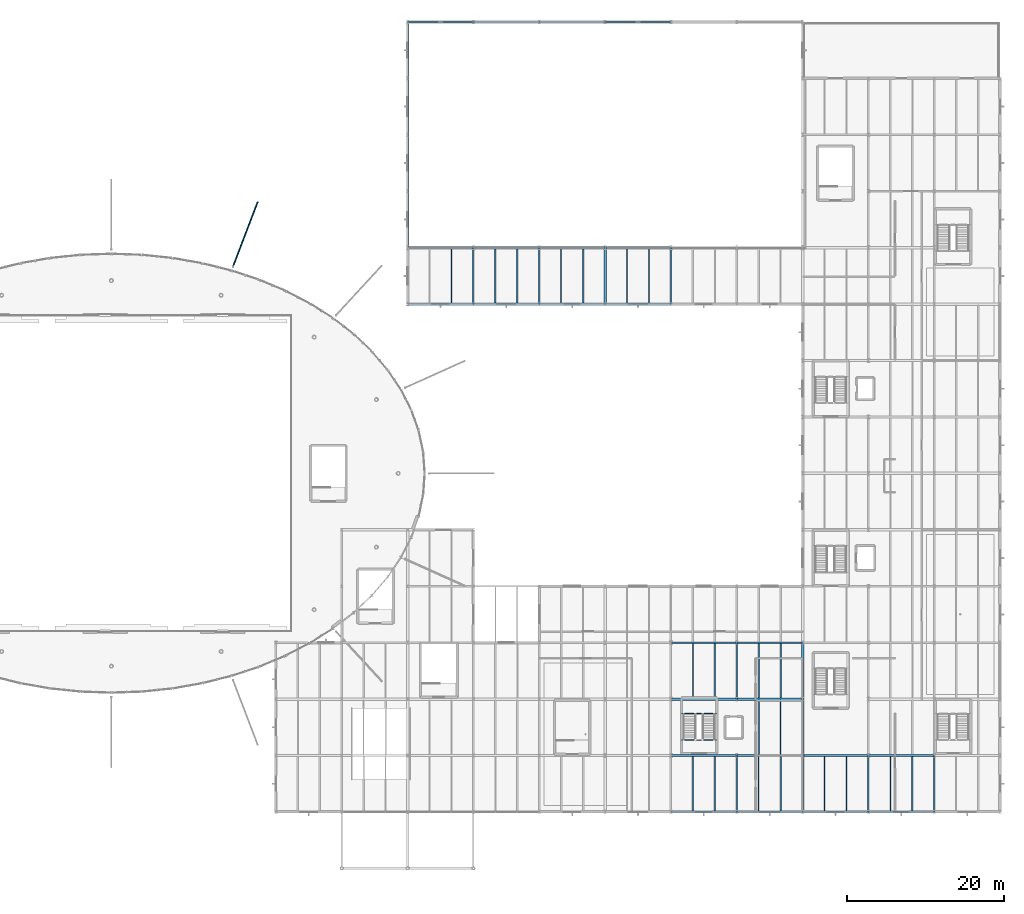
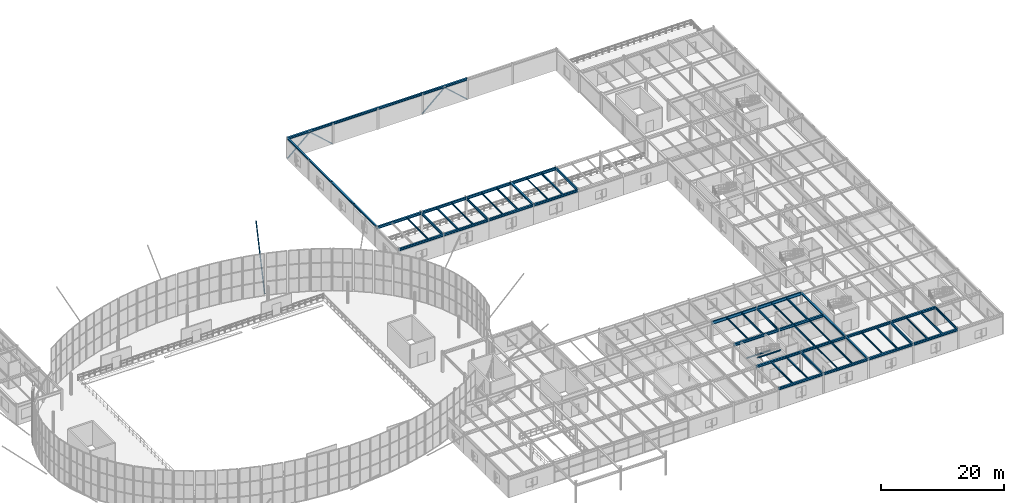
# One storey, part 41 of 109: 62 beams, 5 members.
"""IFC4 building model written with IfcOpenShell, lengths in metres."""

from ifc_helpers import new_model, si_unit, derived_unit, direction, frame, origin, origin_2d, place, context, subcontext, project, spatial, hollow_rectangle, hollow_circle, i_section, extrude, material, material_profile, profile_set, type_object, element, save


model = new_model("IFC4")

# Units and contexts
model_context = context("Model", 3, precision=1e-05, world=origin(), true_north=direction((0.0, 1.0)))
body_context = subcontext(model_context, "Body", "Model", "MODEL_VIEW")
ifc_project = project(units=[si_unit("LENGTHUNIT", "METRE"), si_unit("AREAUNIT", "SQUARE_METRE"), si_unit("VOLUMEUNIT", "CUBIC_METRE"), si_unit("PLANEANGLEUNIT", "RADIAN"), si_unit("MASSUNIT", "GRAM", prefix="KILO"), derived_unit("THERMALTRANSMITTANCEUNIT", [(si_unit("MASSUNIT", "GRAM", prefix="KILO"), 1), (si_unit("TIMEUNIT", "SECOND"), -3), (si_unit("THERMODYNAMICTEMPERATUREUNIT", "KELVIN"), -1)])], contexts=[model_context])

# Site, building, storey
site_placement = place(None, origin())
site = spatial("IfcSite", under=ifc_project, at=site_placement, CompositionType="ELEMENT")
building_placement = place(site_placement, origin())
building = spatial("IfcBuilding", under=site, at=building_placement, Name="Kharveza Railside Sports Centre", CompositionType="ELEMENT")
storey_placement = place(building_placement, frame((0.0, 0.0, 4.5)))
storey = spatial("IfcBuildingStorey", under=building, at=storey_placement, Name="L01", CompositionType="ELEMENT", Elevation=4.5)

# Beams
ifc_material = material(Name="Steel S355J2", Category="steel")
ifc_material_profile_1 = material_profile(ifc_material, i_section(OverallWidth=0.219970703125, OverallDepth=0.60009765625, WebThickness=0.011962890625, FlangeThickness=0.01904296875, FilletRadius=0.02392578125, at=origin_2d()), Name="IPE 600")
ifc_profile_set_1 = profile_set([ifc_material_profile_1], Name="Steel S355J2")
beam_type_1 = type_object("IfcBeamType", Name="BM-G01", PredefinedType="T_BEAM", material=ifc_profile_set_1)
beam_1_placement = place(storey_placement, frame((126.0, 28.800048828125, 3.699951171875), z_axis=(1.0, 0.0, 0.0), x_axis=(0.0, 1.0, 0.0)))
element("IfcBeam", 1, at=beam_1_placement, inside=storey, type_object=beam_type_1, Name="BM-EW-L01-B01-X1260-Y288", PredefinedType="T_BEAM", context=body_context, shape_type="SweptSolid", body=[
    extrude(i_section(OverallWidth=0.219970703125, OverallDepth=0.60009765625, WebThickness=0.011962890625, FlangeThickness=0.01904296875, FilletRadius=0.02392578125, at=origin_2d()), origin(), (0.0, 0.0, 1.0), 8.39990234375),
])
beam_2_placement = place(storey_placement, frame((134.39990234375, 28.800048828125, 3.699951171875), z_axis=(1.0, 0.0, 0.0), x_axis=(0.0, 1.0, 0.0)))
element("IfcBeam", 2, at=beam_2_placement, inside=storey, type_object=beam_type_1, Name="BM-EW-L01-B01-X1344-Y288", PredefinedType="T_BEAM", context=body_context, shape_type="SweptSolid", body=[
    extrude(i_section(OverallWidth=0.219970703125, OverallDepth=0.60009765625, WebThickness=0.011962890625, FlangeThickness=0.01904296875, FilletRadius=0.02392578125, at=origin_2d()), origin(), (0.0, 0.0, 1.0), 8.400146484375),
])
ifc_material_profile_2 = material_profile(ifc_material, i_section(OverallWidth=0.199951171875, OverallDepth=0.5, WebThickness=0.01025390625, FlangeThickness=0.01611328125, FilletRadius=0.02099609375, at=origin_2d()), Name="IPE 500")
ifc_profile_set_2 = profile_set([ifc_material_profile_2], Name="Steel S355J2")
beam_type_2 = type_object("IfcBeamType", Name="BM-G03", PredefinedType="T_BEAM", material=ifc_profile_set_2)
for number, where, z_axis, x_axis, name in (
    (3, (100.800048828125, 72.0, 3.75), (0.0, 1.0, 0.0), (-1.0, 0.0, 0.0), "BM-NS-L01-B03-X1008-Y720"),
    (4, (126.0, 72.0, 3.75), (0.0, 1.0, 0.0), (-1.0, 0.0, 0.0), "BM-NS-L01-B03-X1260-Y720"),
    (5, (151.199951171875, 7.199951171875, 3.75), (0.0, 1.0, 0.0), (-1.0, 0.0, 0.0), "BM-NS-L01-B03-X1512-Y72"),
):
    element("IfcBeam", number, at=place(storey_placement, frame(where, z_axis=z_axis, x_axis=x_axis)), inside=storey, type_object=beam_type_2, Name=name, PredefinedType="T_BEAM", context=body_context, shape_type="SweptSolid", body=[
        extrude(i_section(OverallWidth=0.199951171875, OverallDepth=0.5, WebThickness=0.01025390625, FlangeThickness=0.01611328125, FilletRadius=0.02099609375, at=origin_2d()), origin(), (0.0, 0.0, 1.0), 7.199951171875),
    ])
ifc_material_profile_3 = material_profile(ifc_material, i_section(OverallWidth=0.18994140625, OverallDepth=0.449951171875, WebThickness=0.009521484375, FlangeThickness=0.0146484375, FilletRadius=0.02099609375, at=origin_2d()), Name="IPE 450")
ifc_profile_set_3 = profile_set([ifc_material_profile_3], Name="Steel S355J2")
beam_type_3 = type_object("IfcBeamType", Name="BM-G04", PredefinedType="T_BEAM", material=ifc_profile_set_3)
for number, where, z_axis, x_axis, name in (
    (6, (109.199951171875, 72.0, 3.77490234375), (0.0, 1.0, 0.0), (-1.0, 0.0, 0.0), "BM-NS-L01-B04-X1092-Y720"),
    (7, (134.39990234375, 7.199951171875, 3.77490234375), (0.0, 1.0, 0.0), (-1.0, 0.0, 0.0), "BM-NS-L01-B04-X1344-Y72"),
    (8, (134.39990234375, 21.60009765625, 3.77490234375), (0.0, 1.0, 0.0), (-1.0, 0.0, 0.0), "BM-NS-L01-B04-X1344-Y216"),
    (9, (159.60009765625, 7.199951171875, 3.77490234375), (0.0, 1.0, 0.0), (-1.0, 0.0, 0.0), "BM-NS-L01-B04-X1596-Y72"),
):
    element("IfcBeam", number, at=place(storey_placement, frame(where, z_axis=z_axis, x_axis=x_axis)), inside=storey, type_object=beam_type_3, Name=name, PredefinedType="T_BEAM", context=body_context, shape_type="SweptSolid", body=[
        extrude(i_section(OverallWidth=0.18994140625, OverallDepth=0.449951171875, WebThickness=0.009521484375, FlangeThickness=0.0146484375, FilletRadius=0.02099609375, at=origin_2d()), origin(), (0.0, 0.0, 1.0), 7.199951171875),
    ])
ifc_material_profile_4 = material_profile(ifc_material, i_section(OverallWidth=0.300048828125, OverallDepth=0.5, WebThickness=0.014404296875, FlangeThickness=0.028076171875, FilletRadius=0.027099609375, at=origin_2d()), Name="HEB 500")
ifc_profile_set_4 = profile_set([ifc_material_profile_4], Name="Steel S355J2")
beam_type_4 = type_object("IfcBeamType", Name="BM-G05", PredefinedType="T_BEAM", material=ifc_profile_set_4)
beam_3_placement = place(storey_placement, frame((92.39990234375, 79.199951171875, 3.75), z_axis=(1.0, 0.0, 0.0), x_axis=(0.0, 1.0, 0.0)))
element("IfcBeam", 10, at=beam_3_placement, inside=storey, type_object=beam_type_4, Name="BM-EW-L01-B05-X924-Y792", PredefinedType="T_BEAM", context=body_context, shape_type="SweptSolid", body=[
    extrude(i_section(OverallWidth=0.300048828125, OverallDepth=0.5, WebThickness=0.014404296875, FlangeThickness=0.028076171875, FilletRadius=0.027099609375, at=origin_2d()), origin(), (0.0, 0.0, 1.0), 8.400146484375),
])
beam_4_placement = place(storey_placement, frame((100.800048828125, 79.199951171875, 3.75), z_axis=(1.0, 0.0, 0.0), x_axis=(0.0, 1.0, 0.0)))
element("IfcBeam", 11, at=beam_4_placement, inside=storey, type_object=beam_type_4, Name="BM-EW-L01-B05-X1008-Y792", PredefinedType="T_BEAM", context=body_context, shape_type="SweptSolid", body=[
    extrude(i_section(OverallWidth=0.300048828125, OverallDepth=0.5, WebThickness=0.014404296875, FlangeThickness=0.028076171875, FilletRadius=0.027099609375, at=origin_2d()), origin(), (0.0, 0.0, 1.0), 8.39990234375),
])
beam_5_placement = place(storey_placement, frame((109.199951171875, 79.199951171875, 3.75), z_axis=(1.0, 0.0, 0.0), x_axis=(0.0, 1.0, 0.0)))
element("IfcBeam", 12, at=beam_5_placement, inside=storey, type_object=beam_type_4, Name="BM-EW-L01-B05-X1092-Y792", PredefinedType="T_BEAM", context=body_context, shape_type="SweptSolid", body=[
    extrude(i_section(OverallWidth=0.300048828125, OverallDepth=0.5, WebThickness=0.014404296875, FlangeThickness=0.028076171875, FilletRadius=0.027099609375, at=origin_2d()), origin(), (0.0, 0.0, 1.0), 8.400146484375),
])
for number, where, z_axis, x_axis, name in (
    (13, (117.60009765625, 79.199951171875, 3.75), (1.0, 0.0, 0.0), (0.0, 1.0, 0.0), "BM-EW-L01-B05-X1176-Y792"),
    (14, (126.0, 21.60009765625, 3.75), (1.0, 0.0, 0.0), (0.0, 1.0, 0.0), "BM-EW-L01-B05-X1260-Y216"),
):
    element("IfcBeam", number, at=place(storey_placement, frame(where, z_axis=z_axis, x_axis=x_axis)), inside=storey, type_object=beam_type_4, Name=name, PredefinedType="T_BEAM", context=body_context, shape_type="SweptSolid", body=[
        extrude(i_section(OverallWidth=0.300048828125, OverallDepth=0.5, WebThickness=0.014404296875, FlangeThickness=0.028076171875, FilletRadius=0.027099609375, at=origin_2d()), origin(), (0.0, 0.0, 1.0), 8.39990234375),
    ])
beam_6_placement = place(storey_placement, frame((134.39990234375, 21.60009765625, 3.75), z_axis=(1.0, 0.0, 0.0), x_axis=(0.0, 1.0, 0.0)))
element("IfcBeam", 15, at=beam_6_placement, inside=storey, type_object=beam_type_4, Name="BM-EW-L01-B05-X1344-Y216", PredefinedType="T_BEAM", context=body_context, shape_type="SweptSolid", body=[
    extrude(i_section(OverallWidth=0.300048828125, OverallDepth=0.5, WebThickness=0.014404296875, FlangeThickness=0.028076171875, FilletRadius=0.027099609375, at=origin_2d()), origin(), (0.0, 0.0, 1.0), 8.400146484375),
])
ifc_material_profile_5 = material_profile(ifc_material, i_section(OverallWidth=0.300048828125, OverallDepth=0.449951171875, WebThickness=0.013916015625, FlangeThickness=0.02587890625, FilletRadius=0.027099609375, at=origin_2d()), Name="HEB 450")
ifc_profile_set_5 = profile_set([ifc_material_profile_5], Name="Steel S355J2")
beam_type_5 = type_object("IfcBeamType", Name="BM-G06", PredefinedType="T_BEAM", material=ifc_profile_set_5)
beam_7_placement = place(storey_placement, frame((92.39990234375, 72.0, 3.77490234375), z_axis=(1.0, 0.0, 0.0), x_axis=(0.0, 1.0, 0.0)))
element("IfcBeam", 16, at=beam_7_placement, inside=storey, type_object=beam_type_5, Name="BM-EW-L01-B06-X924-Y720", PredefinedType="T_BEAM", context=body_context, shape_type="SweptSolid", body=[
    extrude(i_section(OverallWidth=0.300048828125, OverallDepth=0.449951171875, WebThickness=0.013916015625, FlangeThickness=0.02587890625, FilletRadius=0.027099609375, at=origin_2d()), origin(), (0.0, 0.0, 1.0), 8.400146484375),
])
beam_8_placement = place(storey_placement, frame((100.800048828125, 72.0, 3.77490234375), z_axis=(1.0, 0.0, 0.0), x_axis=(0.0, 1.0, 0.0)))
element("IfcBeam", 17, at=beam_8_placement, inside=storey, type_object=beam_type_5, Name="BM-EW-L01-B06-X1008-Y720", PredefinedType="T_BEAM", context=body_context, shape_type="SweptSolid", body=[
    extrude(i_section(OverallWidth=0.300048828125, OverallDepth=0.449951171875, WebThickness=0.013916015625, FlangeThickness=0.02587890625, FilletRadius=0.027099609375, at=origin_2d()), origin(), (0.0, 0.0, 1.0), 8.39990234375),
])
beam_9_placement = place(storey_placement, frame((109.199951171875, 72.0, 3.77490234375), z_axis=(1.0, 0.0, 0.0), x_axis=(0.0, 1.0, 0.0)))
element("IfcBeam", 18, at=beam_9_placement, inside=storey, type_object=beam_type_5, Name="BM-EW-L01-B06-X1092-Y720", PredefinedType="T_BEAM", context=body_context, shape_type="SweptSolid", body=[
    extrude(i_section(OverallWidth=0.300048828125, OverallDepth=0.449951171875, WebThickness=0.013916015625, FlangeThickness=0.02587890625, FilletRadius=0.027099609375, at=origin_2d()), origin(), (0.0, 0.0, 1.0), 8.400146484375),
])
for number, where, z_axis, x_axis, name in (
    (19, (117.60009765625, 72.0, 3.77490234375), (1.0, 0.0, 0.0), (0.0, 1.0, 0.0), "BM-EW-L01-B06-X1176-Y720"),
    (20, (126.0, 14.39990234375, 3.77490234375), (1.0, 0.0, 0.0), (0.0, 1.0, 0.0), "BM-EW-L01-B06-X1260-Y144"),
):
    element("IfcBeam", number, at=place(storey_placement, frame(where, z_axis=z_axis, x_axis=x_axis)), inside=storey, type_object=beam_type_5, Name=name, PredefinedType="T_BEAM", context=body_context, shape_type="SweptSolid", body=[
        extrude(i_section(OverallWidth=0.300048828125, OverallDepth=0.449951171875, WebThickness=0.013916015625, FlangeThickness=0.02587890625, FilletRadius=0.027099609375, at=origin_2d()), origin(), (0.0, 0.0, 1.0), 8.39990234375),
    ])
beam_10_placement = place(storey_placement, frame((134.39990234375, 14.39990234375, 3.77490234375), z_axis=(1.0, 0.0, 0.0), x_axis=(0.0, 1.0, 0.0)))
element("IfcBeam", 21, at=beam_10_placement, inside=storey, type_object=beam_type_5, Name="BM-EW-L01-B06-X1344-Y144", PredefinedType="T_BEAM", context=body_context, shape_type="SweptSolid", body=[
    extrude(i_section(OverallWidth=0.300048828125, OverallDepth=0.449951171875, WebThickness=0.013916015625, FlangeThickness=0.02587890625, FilletRadius=0.027099609375, at=origin_2d()), origin(), (0.0, 0.0, 1.0), 8.400146484375),
])
beam_11_placement = place(storey_placement, frame((142.800048828125, 14.39990234375, 3.77490234375), z_axis=(1.0, 0.0, 0.0), x_axis=(0.0, 1.0, 0.0)))
element("IfcBeam", 22, at=beam_11_placement, inside=storey, type_object=beam_type_5, Name="BM-EW-L01-B06-X1428-Y144", PredefinedType="T_BEAM", context=body_context, shape_type="SweptSolid", body=[
    extrude(i_section(OverallWidth=0.300048828125, OverallDepth=0.449951171875, WebThickness=0.013916015625, FlangeThickness=0.02587890625, FilletRadius=0.027099609375, at=origin_2d()), origin(), (0.0, 0.0, 1.0), 8.39990234375),
])
beam_12_placement = place(storey_placement, frame((151.199951171875, 14.39990234375, 3.77490234375), z_axis=(1.0, 0.0, 0.0), x_axis=(0.0, 1.0, 0.0)))
element("IfcBeam", 23, at=beam_12_placement, inside=storey, type_object=beam_type_5, Name="BM-EW-L01-B06-X1512-Y144", PredefinedType="T_BEAM", context=body_context, shape_type="SweptSolid", body=[
    extrude(i_section(OverallWidth=0.300048828125, OverallDepth=0.449951171875, WebThickness=0.013916015625, FlangeThickness=0.02587890625, FilletRadius=0.027099609375, at=origin_2d()), origin(), (0.0, 0.0, 1.0), 8.400146484375),
])
ifc_material_profile_6 = material_profile(ifc_material, i_section(OverallWidth=0.179931640625, OverallDepth=0.39990234375, WebThickness=0.008544921875, FlangeThickness=0.013427734375, FilletRadius=0.02099609375, at=origin_2d()), Name="IPE 400")
ifc_profile_set_6 = profile_set([ifc_material_profile_6], Name="Steel S355J2")
beam_type_6 = type_object("IfcBeamType", Name="BM-S01", PredefinedType="BEAM", material=ifc_profile_set_6)
for number, where, z_axis, x_axis, name in (
    (24, (131.60009765625, 21.7470703125, 3.800048828125), (0.0, 1.0, 0.0), (-1.0, 0.0, 0.0), "BM-SEC-L01-B09-X1316-Y216"),
    (25, (140.0, 21.7470703125, 3.800048828125), (0.0, 1.0, 0.0), (-1.0, 0.0, 0.0), "BM-SEC-L01-B09-X1400-Y216"),
):
    element("IfcBeam", number, at=place(storey_placement, frame(where, z_axis=z_axis, x_axis=x_axis)), inside=storey, type_object=beam_type_6, Name=name, PredefinedType="BEAM", context=body_context, shape_type="SweptSolid", body=[
        extrude(i_section(OverallWidth=0.179931640625, OverallDepth=0.39990234375, WebThickness=0.008544921875, FlangeThickness=0.013427734375, FilletRadius=0.02099609375, at=origin_2d()), origin(), (0.0, 0.0, 1.0), 6.946044921875),
    ])
beam_13_placement = place(storey_placement, frame((156.800048828125, 7.346923828125, 3.800048828125), z_axis=(0.0, 1.0, 0.0), x_axis=(-1.0, 0.0, 0.0)))
element("IfcBeam", 26, at=beam_13_placement, inside=storey, type_object=beam_type_6, Name="BM-SEC-L01-B09-X1568-Y72", PredefinedType="BEAM", context=body_context, shape_type="SweptSolid", body=[
    extrude(i_section(OverallWidth=0.179931640625, OverallDepth=0.39990234375, WebThickness=0.008544921875, FlangeThickness=0.013427734375, FilletRadius=0.02099609375, at=origin_2d()), origin(), (0.0, 0.0, 1.0), 6.906005859375),
])
ifc_material_profile_7 = material_profile(ifc_material, i_section(OverallWidth=0.169921875, OverallDepth=0.360107421875, WebThickness=0.008056640625, FlangeThickness=0.0126953125, FilletRadius=0.01806640625, at=origin_2d()), Name="IPE 360")
ifc_profile_set_7 = profile_set([ifc_material_profile_7], Name="Steel S355J2")
beam_type_7 = type_object("IfcBeamType", Name="BM-S02", PredefinedType="BEAM", material=ifc_profile_set_7)
for number, where, z_axis, x_axis, name in (
    (27, (103.60009765625, 72.14697265625, 3.820068359375), (0.0, 1.0, 0.0), (-1.0, 0.0, 0.0), "BM-SEC-L01-B10-X1036-Y720"),
    (28, (114.800048828125, 72.14697265625, 3.820068359375), (0.0, 1.0, 0.0), (-1.0, 0.0, 0.0), "BM-SEC-L01-B10-X1148-Y720"),
    (29, (123.199951171875, 72.14697265625, 3.820068359375), (0.0, 1.0, 0.0), (-1.0, 0.0, 0.0), "BM-SEC-L01-B10-X1232-Y720"),
    (30, (128.800048828125, 7.346923828125, 3.820068359375), (0.0, 1.0, 0.0), (-1.0, 0.0, 0.0), "BM-SEC-L01-B10-X1288-Y72"),
    (31, (140.0, 7.346923828125, 3.820068359375), (0.0, 1.0, 0.0), (-1.0, 0.0, 0.0), "BM-SEC-L01-B10-X1400-Y72"),
):
    element("IfcBeam", number, at=place(storey_placement, frame(where, z_axis=z_axis, x_axis=x_axis)), inside=storey, type_object=beam_type_7, Name=name, PredefinedType="BEAM", context=body_context, shape_type="SweptSolid", body=[
        extrude(i_section(OverallWidth=0.169921875, OverallDepth=0.360107421875, WebThickness=0.008056640625, FlangeThickness=0.0126953125, FilletRadius=0.01806640625, at=origin_2d()), origin(), (0.0, 0.0, 1.0), 6.906005859375),
    ])
beam_14_placement = place(storey_placement, frame((137.199951171875, 14.547119140625, 3.820068359375), z_axis=(0.0, 1.0, 0.0), x_axis=(-1.0, 0.0, 0.0)))
element("IfcBeam", 32, at=beam_14_placement, inside=storey, type_object=beam_type_7, Name="BM-SEC-L01-B10-X1372-Y144", PredefinedType="BEAM", context=body_context, shape_type="SweptSolid", body=[
    extrude(i_section(OverallWidth=0.169921875, OverallDepth=0.360107421875, WebThickness=0.008056640625, FlangeThickness=0.0126953125, FilletRadius=0.01806640625, at=origin_2d()), origin(), (0.0, 0.0, 1.0), 6.90576171875),
])
beam_15_placement = place(storey_placement, frame((148.39990234375, 7.346923828125, 3.820068359375), z_axis=(0.0, 1.0, 0.0), x_axis=(-1.0, 0.0, 0.0)))
element("IfcBeam", 33, at=beam_15_placement, inside=storey, type_object=beam_type_7, Name="BM-SEC-L01-B10-X1484-Y72", PredefinedType="BEAM", context=body_context, shape_type="SweptSolid", body=[
    extrude(i_section(OverallWidth=0.169921875, OverallDepth=0.360107421875, WebThickness=0.008056640625, FlangeThickness=0.0126953125, FilletRadius=0.01806640625, at=origin_2d()), origin(), (0.0, 0.0, 1.0), 6.906005859375),
])
ifc_material_profile_8 = material_profile(ifc_material, i_section(OverallWidth=0.14990234375, OverallDepth=0.300048828125, WebThickness=0.007080078125, FlangeThickness=0.0107421875, FilletRadius=0.014892578125, at=origin_2d()), Name="IPE 300")
ifc_profile_set_8 = profile_set([ifc_material_profile_8], Name="Steel S355J2")
beam_type_8 = type_object("IfcBeamType", Name="BM-S04", PredefinedType="BEAM", material=ifc_profile_set_8)
for number, where, z_axis, x_axis, name in (
    (34, (98.0, 72.14697265625, 3.85009765625), (0.0, 1.0, 0.0), (-1.0, 0.0, 0.0), "BM-SEC-L01-B12-X980-Y720"),
    (35, (106.39990234375, 72.14697265625, 3.85009765625), (0.0, 1.0, 0.0), (-1.0, 0.0, 0.0), "BM-SEC-L01-B12-X1064-Y720"),
    (36, (131.60009765625, 7.346923828125, 3.85009765625), (0.0, 1.0, 0.0), (-1.0, 0.0, 0.0), "BM-SEC-L01-B12-X1316-Y72"),
):
    element("IfcBeam", number, at=place(storey_placement, frame(where, z_axis=z_axis, x_axis=x_axis)), inside=storey, type_object=beam_type_8, Name=name, PredefinedType="BEAM", context=body_context, shape_type="SweptSolid", body=[
        extrude(i_section(OverallWidth=0.14990234375, OverallDepth=0.300048828125, WebThickness=0.007080078125, FlangeThickness=0.0107421875, FilletRadius=0.014892578125, at=origin_2d()), origin(), (0.0, 0.0, 1.0), 6.906005859375),
    ])
beam_16_placement = place(storey_placement, frame((128.800048828125, 21.7470703125, 3.85009765625), z_axis=(0.0, 1.0, 0.0), x_axis=(-1.0, 0.0, 0.0)))
element("IfcBeam", 37, at=beam_16_placement, inside=storey, type_object=beam_type_8, Name="BM-SEC-L01-B12-X1288-Y216", PredefinedType="BEAM", context=body_context, shape_type="SweptSolid", body=[
    extrude(i_section(OverallWidth=0.14990234375, OverallDepth=0.300048828125, WebThickness=0.007080078125, FlangeThickness=0.0107421875, FilletRadius=0.014892578125, at=origin_2d()), origin(), (0.0, 0.0, 1.0), 6.946044921875),
])
beam_17_placement = place(storey_placement, frame((140.0, 14.547119140625, 3.85009765625), z_axis=(0.0, 1.0, 0.0), x_axis=(-1.0, 0.0, 0.0)))
element("IfcBeam", 38, at=beam_17_placement, inside=storey, type_object=beam_type_8, Name="BM-SEC-L01-B12-X1400-Y144", PredefinedType="BEAM", context=body_context, shape_type="SweptSolid", body=[
    extrude(i_section(OverallWidth=0.14990234375, OverallDepth=0.300048828125, WebThickness=0.007080078125, FlangeThickness=0.0107421875, FilletRadius=0.014892578125, at=origin_2d()), origin(), (0.0, 0.0, 1.0), 6.90576171875),
])
beam_18_placement = place(storey_placement, frame((137.199951171875, 21.7470703125, 3.85009765625), z_axis=(0.0, 1.0, 0.0), x_axis=(-1.0, 0.0, 0.0)))
element("IfcBeam", 39, at=beam_18_placement, inside=storey, type_object=beam_type_8, Name="BM-SEC-L01-B12-X1372-Y216", PredefinedType="BEAM", context=body_context, shape_type="SweptSolid", body=[
    extrude(i_section(OverallWidth=0.14990234375, OverallDepth=0.300048828125, WebThickness=0.007080078125, FlangeThickness=0.0107421875, FilletRadius=0.014892578125, at=origin_2d()), origin(), (0.0, 0.0, 1.0), 6.946044921875),
])
beam_19_placement = place(storey_placement, frame((154.0, 7.346923828125, 3.85009765625), z_axis=(0.0, 1.0, 0.0), x_axis=(-1.0, 0.0, 0.0)))
element("IfcBeam", 40, at=beam_19_placement, inside=storey, type_object=beam_type_8, Name="BM-SEC-L01-B12-X1540-Y72", PredefinedType="BEAM", context=body_context, shape_type="SweptSolid", body=[
    extrude(i_section(OverallWidth=0.14990234375, OverallDepth=0.300048828125, WebThickness=0.007080078125, FlangeThickness=0.0107421875, FilletRadius=0.014892578125, at=origin_2d()), origin(), (0.0, 0.0, 1.0), 6.906005859375),
])
ifc_material_profile_9 = material_profile(ifc_material, i_section(OverallWidth=0.135009765625, OverallDepth=0.27001953125, WebThickness=0.006591796875, FlangeThickness=0.01025390625, FilletRadius=0.014892578125, at=origin_2d()), Name="IPE 270")
ifc_profile_set_9 = profile_set([ifc_material_profile_9], Name="Steel S355J2")
beam_type_9 = type_object("IfcBeamType", Name="BM-S05", PredefinedType="BEAM", material=ifc_profile_set_9)
for number, where, z_axis, x_axis, name in (
    (41, (112.0, 72.14697265625, 3.864990234375), (0.0, 1.0, 0.0), (-1.0, 0.0, 0.0), "BM-SEC-L01-B13-X1120-Y720"),
    (42, (120.39990234375, 72.14697265625, 3.864990234375), (0.0, 1.0, 0.0), (-1.0, 0.0, 0.0), "BM-SEC-L01-B13-X1204-Y720"),
    (43, (137.199951171875, 7.346923828125, 3.864990234375), (0.0, 1.0, 0.0), (-1.0, 0.0, 0.0), "BM-SEC-L01-B13-X1372-Y72"),
    (44, (145.60009765625, 7.346923828125, 3.864990234375), (0.0, 1.0, 0.0), (-1.0, 0.0, 0.0), "BM-SEC-L01-B13-X1456-Y72"),
):
    element("IfcBeam", number, at=place(storey_placement, frame(where, z_axis=z_axis, x_axis=x_axis)), inside=storey, type_object=beam_type_9, Name=name, PredefinedType="BEAM", context=body_context, shape_type="SweptSolid", body=[
        extrude(i_section(OverallWidth=0.135009765625, OverallDepth=0.27001953125, WebThickness=0.006591796875, FlangeThickness=0.01025390625, FilletRadius=0.014892578125, at=origin_2d()), origin(), (0.0, 0.0, 1.0), 6.906005859375),
    ])
for number, where, z_axis, x_axis, name in (
    (45, (127.3798828125, 19.77001953125, 1.780029296875), (1.0, 0.0, 0.0), (0.0, 1.0, 0.0), "BM-HLND-ST3-L01"),
    (46, (127.3798828125, 16.360107421875, 3.8798828125), (1.0, 0.0, 0.0), (0.0, 1.0, 0.0), "BM-STLND-ST3-L02"),
):
    element("IfcBeam", number, at=place(storey_placement, frame(where, z_axis=z_axis, x_axis=x_axis)), inside=storey, type_object=beam_type_9, Name=name, PredefinedType="BEAM", context=body_context, shape_type="SweptSolid", body=[
        extrude(i_section(OverallWidth=0.135009765625, OverallDepth=0.27001953125, WebThickness=0.006591796875, FlangeThickness=0.01025390625, FilletRadius=0.014892578125, at=origin_2d()), origin(), (0.0, 0.0, 1.0), 4.440185546875),
    ])
ifc_material_profile_10 = material_profile(ifc_material, i_section(OverallWidth=0.300048828125, OverallDepth=0.31005859375, WebThickness=0.009033203125, FlangeThickness=0.015380859375, FilletRadius=0.027099609375, at=origin_2d()), Name="HEA 320")
ifc_profile_set_10 = profile_set([ifc_material_profile_10], Name="Steel S355J2")
beam_type_10 = type_object("IfcBeamType", Name="BM-S06", PredefinedType="BEAM", material=ifc_profile_set_10)
beam_20_placement = place(storey_placement, frame((92.39990234375, 79.199951171875, 4.044921875), z_axis=(0.0, 1.0, 0.0), x_axis=(-1.0, 0.0, 0.0)))
element("IfcBeam", 47, at=beam_20_placement, inside=storey, type_object=beam_type_10, Name="BM-NS-L01-B14-X924-Y792", PredefinedType="BEAM", context=body_context, shape_type="SweptSolid", body=[
    extrude(i_section(OverallWidth=0.300048828125, OverallDepth=0.31005859375, WebThickness=0.009033203125, FlangeThickness=0.015380859375, FilletRadius=0.027099609375, at=origin_2d()), origin(), (0.0, 0.0, 1.0), 7.199951171875),
])
beam_21_placement = place(storey_placement, frame((92.39990234375, 86.39990234375, 4.044921875), z_axis=(0.0, 1.0, 0.0), x_axis=(-1.0, 0.0, 0.0)))
element("IfcBeam", 48, at=beam_21_placement, inside=storey, type_object=beam_type_10, Name="BM-NS-L01-B14-X924-Y864", PredefinedType="BEAM", context=body_context, shape_type="SweptSolid", body=[
    extrude(i_section(OverallWidth=0.300048828125, OverallDepth=0.31005859375, WebThickness=0.009033203125, FlangeThickness=0.015380859375, FilletRadius=0.027099609375, at=origin_2d()), origin(), (0.0, 0.0, 1.0), 7.2001953125),
])
for number, where, z_axis, x_axis, name in (
    (49, (92.39990234375, 93.60009765625, 4.044921875), (0.0, 1.0, 0.0), (-1.0, 0.0, 0.0), "BM-NS-L01-B14-X924-Y936"),
    (50, (92.39990234375, 100.800048828125, 4.044921875), (0.0, 1.0, 0.0), (-1.0, 0.0, 0.0), "BM-NS-L01-B14-X924-Y1008"),
    (51, (117.60009765625, 72.0, 3.844970703125), (0.0, 1.0, 0.0), (-1.0, 0.0, 0.0), "BM-NS-L01-B14-X1176-Y720"),
    (52, (142.800048828125, 7.199951171875, 3.844970703125), (0.0, 1.0, 0.0), (-1.0, 0.0, 0.0), "BM-NS-L01-B14-X1428-Y72"),
):
    element("IfcBeam", number, at=place(storey_placement, frame(where, z_axis=z_axis, x_axis=x_axis)), inside=storey, type_object=beam_type_10, Name=name, PredefinedType="BEAM", context=body_context, shape_type="SweptSolid", body=[
        extrude(i_section(OverallWidth=0.300048828125, OverallDepth=0.31005859375, WebThickness=0.009033203125, FlangeThickness=0.015380859375, FilletRadius=0.027099609375, at=origin_2d()), origin(), (0.0, 0.0, 1.0), 7.199951171875),
    ])
beam_22_placement = place(storey_placement, frame((142.800048828125, 14.39990234375, 3.844970703125), z_axis=(0.0, 1.0, 0.0), x_axis=(-1.0, 0.0, 0.0)))
element("IfcBeam", 53, at=beam_22_placement, inside=storey, type_object=beam_type_10, Name="BM-NS-L01-B14-X1428-Y144", PredefinedType="BEAM", context=body_context, shape_type="SweptSolid", body=[
    extrude(i_section(OverallWidth=0.300048828125, OverallDepth=0.31005859375, WebThickness=0.009033203125, FlangeThickness=0.015380859375, FilletRadius=0.027099609375, at=origin_2d()), origin(), (0.0, 0.0, 1.0), 7.2001953125),
])
beam_23_placement = place(storey_placement, frame((142.800048828125, 21.60009765625, 3.844970703125), z_axis=(0.0, 1.0, 0.0), x_axis=(-1.0, 0.0, 0.0)))
element("IfcBeam", 54, at=beam_23_placement, inside=storey, type_object=beam_type_10, Name="BM-NS-L01-B14-X1428-Y216", PredefinedType="BEAM", context=body_context, shape_type="SweptSolid", body=[
    extrude(i_section(OverallWidth=0.300048828125, OverallDepth=0.31005859375, WebThickness=0.009033203125, FlangeThickness=0.015380859375, FilletRadius=0.027099609375, at=origin_2d()), origin(), (0.0, 0.0, 1.0), 7.199951171875),
])
ifc_material_profile_11 = material_profile(ifc_material, i_section(OverallWidth=0.300048828125, OverallDepth=0.43994140625, WebThickness=0.011474609375, FlangeThickness=0.02099609375, FilletRadius=0.027099609375, at=origin_2d()), Name="HEA 450")
ifc_profile_set_11 = profile_set([ifc_material_profile_11], Name="Steel S355J2")
beam_type_11 = type_object("IfcBeamType", Name="BM-SP01", PredefinedType="SPANDREL", material=ifc_profile_set_11)
beam_24_placement = place(storey_placement, frame((92.39990234375, 108.0, 3.97998046875), z_axis=(1.0, 0.0, 0.0), x_axis=(0.0, 1.0, 0.0)))
element("IfcBeam", 55, at=beam_24_placement, inside=storey, type_object=beam_type_11, Name="BM-EW-L01-B15-X924-Y1080", PredefinedType="SPANDREL", context=body_context, shape_type="SweptSolid", body=[
    extrude(i_section(OverallWidth=0.300048828125, OverallDepth=0.43994140625, WebThickness=0.011474609375, FlangeThickness=0.02099609375, FilletRadius=0.027099609375, at=origin_2d()), origin(), (0.0, 0.0, 1.0), 8.400146484375),
])
beam_25_placement = place(storey_placement, frame((100.800048828125, 108.0, 3.97998046875), z_axis=(1.0, 0.0, 0.0), x_axis=(0.0, 1.0, 0.0)))
element("IfcBeam", 56, at=beam_25_placement, inside=storey, type_object=beam_type_11, Name="BM-EW-L01-B15-X1008-Y1080", PredefinedType="SPANDREL", context=body_context, shape_type="SweptSolid", body=[
    extrude(i_section(OverallWidth=0.300048828125, OverallDepth=0.43994140625, WebThickness=0.011474609375, FlangeThickness=0.02099609375, FilletRadius=0.027099609375, at=origin_2d()), origin(), (0.0, 0.0, 1.0), 8.39990234375),
])
beam_26_placement = place(storey_placement, frame((109.199951171875, 108.0, 3.97998046875), z_axis=(1.0, 0.0, 0.0), x_axis=(0.0, 1.0, 0.0)))
element("IfcBeam", 57, at=beam_26_placement, inside=storey, type_object=beam_type_11, Name="BM-EW-L01-B15-X1092-Y1080", PredefinedType="SPANDREL", context=body_context, shape_type="SweptSolid", body=[
    extrude(i_section(OverallWidth=0.300048828125, OverallDepth=0.43994140625, WebThickness=0.011474609375, FlangeThickness=0.02099609375, FilletRadius=0.027099609375, at=origin_2d()), origin(), (0.0, 0.0, 1.0), 8.400146484375),
])
for number, where, z_axis, x_axis, name in (
    (58, (117.60009765625, 108.0, 3.97998046875), (1.0, 0.0, 0.0), (0.0, 1.0, 0.0), "BM-EW-L01-B15-X1176-Y1080"),
    (59, (126.0, 7.199951171875, 3.780029296875), (1.0, 0.0, 0.0), (0.0, 1.0, 0.0), "BM-EW-L01-B15-X1260-Y72"),
):
    element("IfcBeam", number, at=place(storey_placement, frame(where, z_axis=z_axis, x_axis=x_axis)), inside=storey, type_object=beam_type_11, Name=name, PredefinedType="SPANDREL", context=body_context, shape_type="SweptSolid", body=[
        extrude(i_section(OverallWidth=0.300048828125, OverallDepth=0.43994140625, WebThickness=0.011474609375, FlangeThickness=0.02099609375, FilletRadius=0.027099609375, at=origin_2d()), origin(), (0.0, 0.0, 1.0), 8.39990234375),
    ])
beam_27_placement = place(storey_placement, frame((134.39990234375, 7.199951171875, 3.780029296875), z_axis=(1.0, 0.0, 0.0), x_axis=(0.0, 1.0, 0.0)))
element("IfcBeam", 60, at=beam_27_placement, inside=storey, type_object=beam_type_11, Name="BM-EW-L01-B15-X1344-Y72", PredefinedType="SPANDREL", context=body_context, shape_type="SweptSolid", body=[
    extrude(i_section(OverallWidth=0.300048828125, OverallDepth=0.43994140625, WebThickness=0.011474609375, FlangeThickness=0.02099609375, FilletRadius=0.027099609375, at=origin_2d()), origin(), (0.0, 0.0, 1.0), 8.400146484375),
])
beam_28_placement = place(storey_placement, frame((142.800048828125, 7.199951171875, 3.780029296875), z_axis=(1.0, 0.0, 0.0), x_axis=(0.0, 1.0, 0.0)))
element("IfcBeam", 61, at=beam_28_placement, inside=storey, type_object=beam_type_11, Name="BM-EW-L01-B15-X1428-Y72", PredefinedType="SPANDREL", context=body_context, shape_type="SweptSolid", body=[
    extrude(i_section(OverallWidth=0.300048828125, OverallDepth=0.43994140625, WebThickness=0.011474609375, FlangeThickness=0.02099609375, FilletRadius=0.027099609375, at=origin_2d()), origin(), (0.0, 0.0, 1.0), 8.39990234375),
])
beam_29_placement = place(storey_placement, frame((151.199951171875, 7.199951171875, 3.780029296875), z_axis=(1.0, 0.0, 0.0), x_axis=(0.0, 1.0, 0.0)))
element("IfcBeam", 62, at=beam_29_placement, inside=storey, type_object=beam_type_11, Name="BM-EW-L01-B15-X1512-Y72", PredefinedType="SPANDREL", context=body_context, shape_type="SweptSolid", body=[
    extrude(i_section(OverallWidth=0.300048828125, OverallDepth=0.43994140625, WebThickness=0.011474609375, FlangeThickness=0.02099609375, FilletRadius=0.027099609375, at=origin_2d()), origin(), (0.0, 0.0, 1.0), 8.400146484375),
])

# Members
ifc_material_profile_12 = material_profile(ifc_material, hollow_rectangle(XDim=0.179931640625, YDim=0.179931640625, WallThickness=0.010009765625, InnerFilletRadius=0.010009765625, OuterFilletRadius=0.02001953125, at=origin_2d()), Name="SHS 180x180x10.0")
ifc_profile_set_12 = profile_set([ifc_material_profile_12], Name="Steel S355J2")
member_type_1 = type_object("IfcMemberType", Name="MB-BR01", PredefinedType="BRACE", material=ifc_profile_set_12)
member_1_placement = place(storey_placement, frame((92.39990234375, 108.0, 0.0), z_axis=(0.74595304797, 0.0, 0.665998536202), x_axis=(0.0, 1.0, 0.0)))
element("IfcMember", 63, at=member_1_placement, inside=storey, type_object=member_type_1, Name="MB-CHEV-EW-002A", PredefinedType="BRACE", context=body_context, shape_type="SweptSolid", body=[
    extrude(hollow_rectangle(XDim=0.179931640625, YDim=0.179931640625, WallThickness=0.010009765625, InnerFilletRadius=0.010009765625, OuterFilletRadius=0.02001953125, at=origin_2d()), origin(), (0.0, 0.0, 1.0), 5.630615234375),
])
for number, where, z_axis, x_axis, name in (
    (64, (100.800048828125, 108.0, 0.0), (-0.745933814853, 0.0, 0.666020077669), (0.0, -1.0, 0.0), "MB-CHEV-EW-002B"),
    (65, (117.60009765625, 108.0, 0.0), (0.745933814853, 0.0, 0.666020077669), (0.0, 1.0, 0.0), "MB-CHEV-EW-005A"),
    (66, (126.0, 108.0, 0.0), (-0.745933814853, 0.0, 0.666020077669), (0.0, -1.0, 0.0), "MB-CHEV-EW-005B"),
):
    element("IfcMember", number, at=place(storey_placement, frame(where, z_axis=z_axis, x_axis=x_axis)), inside=storey, type_object=member_type_1, Name=name, PredefinedType="BRACE", context=body_context, shape_type="SweptSolid", body=[
        extrude(hollow_rectangle(XDim=0.179931640625, YDim=0.179931640625, WallThickness=0.010009765625, InnerFilletRadius=0.010009765625, OuterFilletRadius=0.02001953125, at=origin_2d()), origin(), (0.0, 0.0, 1.0), 5.63037109375),
    ])
ifc_material_profile_13 = material_profile(ifc_material, hollow_circle(Radius=0.109619140625, WallThickness=0.012451171875, at=origin_2d()), Name="CHS 219.1x12.5")
ifc_profile_set_13 = profile_set([ifc_material_profile_13], Name="Steel S355J2")
member_type_2 = type_object("IfcMemberType", Name="MB-ST01", PredefinedType="STRUT", material=ifc_profile_set_13)
member_2_placement = place(storey_placement, frame((70.117919921875, 76.77685546875, 0.0), z_axis=(0.259450063784, 0.679534046883, 0.686235486935), x_axis=(-0.934222230088, 0.356691498089, 0.0)))
element("IfcMember", 67, at=member_2_placement, inside=storey, type_object=member_type_2, Name="MB-RAKER-LID-04", PredefinedType="STRUT", context=body_context, shape_type="SweptSolid", body=[
    extrude(hollow_circle(Radius=0.109619140625, WallThickness=0.012451171875, at=origin_2d()), origin(), (0.0, 0.0, 1.0), 12.16796875),
])

save(model, "model.ifc")
